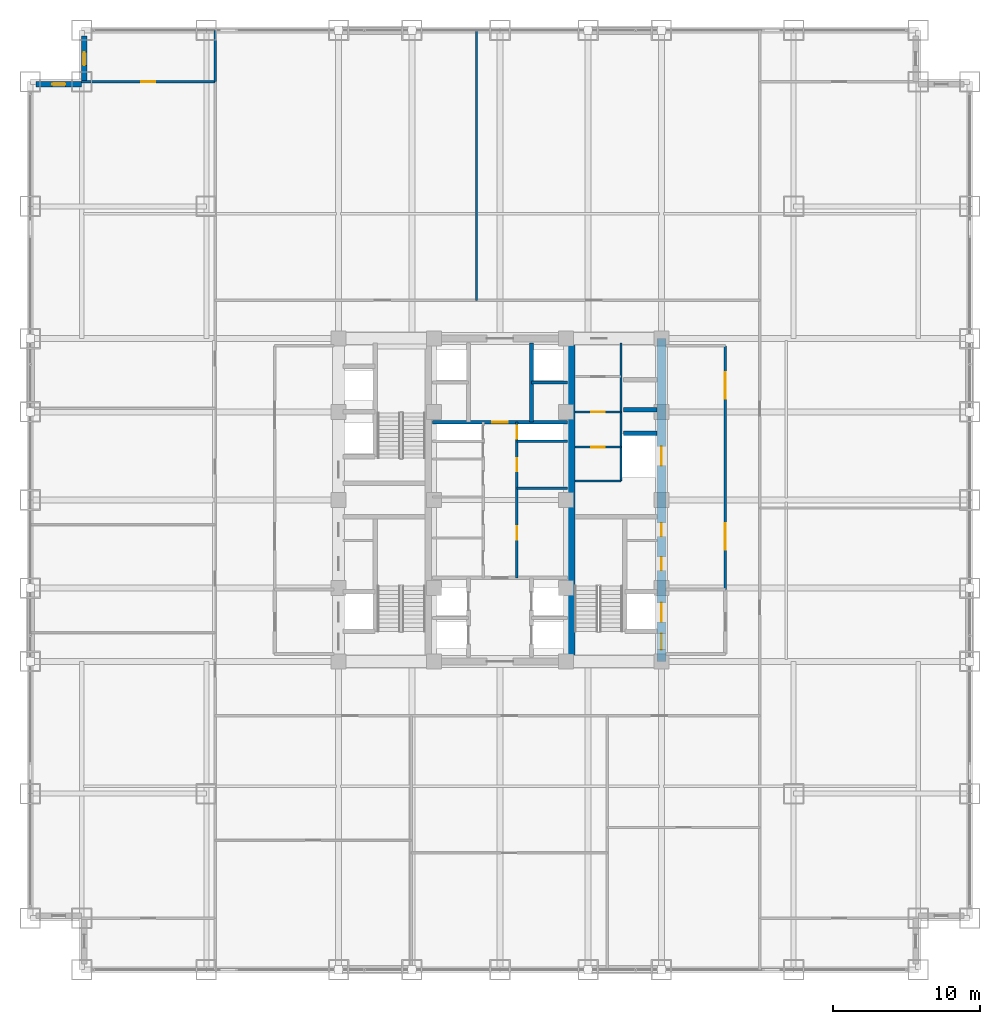
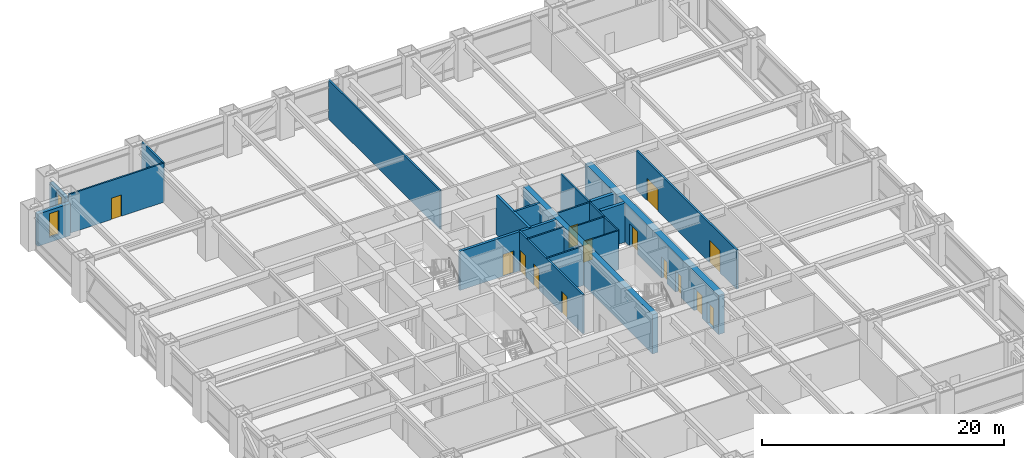
# One storey, part 26 of 28: 20 walls, 14 doors, 2 windows, 16 openings.
"""IFC4 building model written with IfcOpenShell, lengths in metres."""

from ifc_helpers import new_model, si_unit, direction, frame, frame_2d, origin, place, context, subcontext, project, spatial, rectangle, extrude, source, transform, mapped, material, layer, layer_set, type_object, element, fill, save


model = new_model("IFC4")

# Units and contexts
model_context = context("Model", 3, precision=1e-05, world=origin(), true_north=direction((0.0, 1.0)))
body_context = subcontext(model_context, "Body", "Model", "MODEL_VIEW")
ifc_project = project(units=[si_unit("LENGTHUNIT", "METRE"), si_unit("AREAUNIT", "SQUARE_METRE"), si_unit("VOLUMEUNIT", "CUBIC_METRE"), si_unit("PLANEANGLEUNIT", "RADIAN"), si_unit("MASSUNIT", "GRAM", prefix="KILO")], contexts=[model_context])

# Site, building, storey
site_placement = place(None, origin())
site = spatial("IfcSite", under=ifc_project, at=site_placement, CompositionType="ELEMENT")
building_placement = place(site_placement, origin())
building = spatial("IfcBuilding", under=site, at=building_placement, Name="Khorayat Bourse Tower", CompositionType="ELEMENT")
storey_placement = place(building_placement, frame((0.0, 0.0, 66.199951171875)))
storey = spatial("IfcBuildingStorey", under=building, at=storey_placement, Name="L14", CompositionType="ELEMENT", Elevation=66.199951171875)

# Wall, openings, doors
ifc_material_1 = material(Name="Concrete C60/75", Category="concrete")
ifc_layer_1 = layer(ifc_material_1, 0.60009765625)
ifc_layer_set_1 = layer_set([ifc_layer_1], Name="Concrete C60/75")
wall_type_1 = type_object("IfcWallType", Name="WAL-CORE-600", PredefinedType="SHEAR", material=ifc_layer_set_1)
shared_shape_1 = source(origin(), body_context, "Body", "SweptSolid", [
    extrude(rectangle(XDim=22.0, YDim=0.60009765625, at=frame_2d((11.0, 0.0))), origin(), (0.0, 0.0, 1.0), 3.93994140625),
])
wall_1_placement = place(storey_placement, frame((11.0, -11.0, 0.0), z_axis=(0.0, 0.0, 1.0), x_axis=(0.0, 1.0, 0.0)))
wall_1 = element("IfcWall", 1, at=wall_1_placement, inside=storey, type_object=wall_type_1, Name="L14 Core Shear Wall CORE-E", PredefinedType="SHEAR", context=body_context, shape_type="MappedRepresentation", body=[
    mapped(shared_shape_1, transform((0.0, 0.0, 0.0), scale=1.0)),
])
shared_shape_2 = source(origin(), body_context, "Body", "SweptSolid", [
    extrude(rectangle(XDim=1.10009765625, YDim=2.199951171875, at=frame_2d((0.550048828125, 1.10009765625))), frame((0.0, 0.31005859375, 0.0), z_axis=(0.0, -1.0, 0.0), x_axis=(1.0, 0.0, 0.0)), (0.0, 0.0, 1.0), 0.6201171875),
])
opening_1_placement = place(wall_1_placement, frame((0.800048828125, 0.0, 0.0)))
opening_1 = element("IfcOpeningElement", 2, at=opening_1_placement, cuts=wall_1, Name="Opening DI-01", PredefinedType="OPENING", context=body_context, shape_type="MappedRepresentation", body=[
    mapped(shared_shape_2, transform((0.0, 0.0, 0.0), scale=1.0)),
])
shared_shape_3 = source(origin(), body_context, "Body", "SweptSolid", [
    extrude(rectangle(XDim=0.89990234375, YDim=2.14990234375, at=frame_2d((0.449951171875, 1.074951171875))), frame((0.0, 0.31005859375, 0.0), z_axis=(0.0, -1.0, 0.0), x_axis=(1.0, 0.0, 0.0)), (0.0, 0.0, 1.0), 0.6201171875),
])
opening_2_placement = place(wall_1_placement, frame((6.199951171875, 0.0, 0.0)))
opening_2 = element("IfcOpeningElement", 3, at=opening_2_placement, cuts=wall_1, Name="Opening DI-06", PredefinedType="OPENING", context=body_context, shape_type="MappedRepresentation", body=[
    mapped(shared_shape_3, transform((0.0, 0.0, 0.0), scale=1.0)),
])
opening_3_placement = place(wall_1_placement, frame((8.52490234375, 0.0, 0.0)))
opening_3 = element("IfcOpeningElement", 4, at=opening_3_placement, cuts=wall_1, Name="Opening DI-06", PredefinedType="OPENING", context=body_context, shape_type="MappedRepresentation", body=[
    mapped(shared_shape_3, transform((0.0, 0.0, 0.0), scale=1.0)),
])
shared_shape_4 = source(origin(), body_context, "Body", "SweptSolid", [
    extrude(rectangle(XDim=1.300048828125, YDim=2.300048828125, at=frame_2d((0.64990234375, 1.14990234375))), frame((0.0, 0.31005859375, 0.0), z_axis=(0.0, -1.0, 0.0), x_axis=(1.0, 0.0, 0.0)), (0.0, 0.0, 1.0), 0.6201171875),
])
opening_4_placement = place(wall_1_placement, frame((2.699951171875, 0.0, 0.0)))
opening_4 = element("IfcOpeningElement", 5, at=opening_4_placement, cuts=wall_1, Name="Opening LD-02", PredefinedType="OPENING", context=body_context, shape_type="MappedRepresentation", body=[
    mapped(shared_shape_4, transform((0.0, 0.0, 0.0), scale=1.0)),
])
opening_5_placement = place(wall_1_placement, frame((13.35009765625, 0.0, 0.0)))
opening_5 = element("IfcOpeningElement", 6, at=opening_5_placement, cuts=wall_1, Name="Opening LD-02", PredefinedType="OPENING", context=body_context, shape_type="MappedRepresentation", body=[
    mapped(shared_shape_4, transform((0.0, 0.0, 0.0), scale=1.0)),
])
ifc_material_2 = material(Name="Fire-rated steel acoustic leaf", Category="steel")
door_type_1 = type_object("IfcDoorType", Name="DR-INT-STAIR-1100", OperationType="NOTDEFINED", PredefinedType="DOOR", material=ifc_material_2)
shared_shape_5 = source(origin(), body_context, "Body", "SweptSolid", [
    extrude(rectangle(XDim=1.10009765625, YDim=2.199951171875, at=frame_2d((0.550048828125, 1.10009765625))), frame((0.0, 0.02490234375, 0.0), z_axis=(0.0, -1.0, 0.0), x_axis=(1.0, 0.0, 0.0)), (0.0, 0.0, 1.0), 0.050048828125),
])
door_1_placement = place(opening_1_placement, origin())
door_1 = element("IfcDoor", 7, at=door_1_placement, inside=storey, type_object=door_type_1, Name="L14 Exit Stair 3 Door", OperationType="SINGLE_SWING_LEFT", OverallHeight=2.199951171875, OverallWidth=1.10009765625, PredefinedType="DOOR", context=body_context, shape_type="MappedRepresentation", body=[
    mapped(shared_shape_5, transform((0.0, 0.0, 0.0), scale=1.0)),
])
fill(opening_1, door_1)
ifc_material_3 = material(Name="Moisture-resistant laminate washroom door")
door_type_2 = type_object("IfcDoorType", Name="DR-INT-WC-900", OperationType="NOTDEFINED", PredefinedType="DOOR", material=ifc_material_3)
shared_shape_6 = source(origin(), body_context, "Body", "SweptSolid", [
    extrude(rectangle(XDim=0.89990234375, YDim=2.14990234375, at=frame_2d((0.449951171875, 1.074951171875))), frame((0.0, 0.02490234375, 0.0), z_axis=(0.0, -1.0, 0.0), x_axis=(1.0, 0.0, 0.0)), (0.0, 0.0, 1.0), 0.050048828125),
])
door_2_placement = place(opening_2_placement, origin())
door_2 = element("IfcDoor", 8, at=door_2_placement, inside=storey, type_object=door_type_2, Name="L14 Telecom Closet Door", OperationType="SINGLE_SWING_LEFT", OverallHeight=2.14990234375, OverallWidth=0.89990234375, PredefinedType="DOOR", context=body_context, shape_type="MappedRepresentation", body=[
    mapped(shared_shape_6, transform((0.0, 0.0, 0.0), scale=1.0)),
])
fill(opening_2, door_2)
door_3_placement = place(opening_3_placement, origin())
door_3 = element("IfcDoor", 9, at=door_3_placement, inside=storey, type_object=door_type_2, Name="L14 Stationery Store Door", OperationType="SINGLE_SWING_RIGHT", OverallHeight=2.14990234375, OverallWidth=0.89990234375, PredefinedType="DOOR", context=body_context, shape_type="MappedRepresentation", body=[
    mapped(shared_shape_6, transform((0.0, 0.0, 0.0), scale=1.0)),
])
fill(opening_3, door_3)
ifc_material_4 = material(Name="Fire-rated stainless-steel sliding landing door", Category="steel")
door_type_3 = type_object("IfcDoorType", Name="DR-LIFT-FF-1300", OperationType="NOTDEFINED", PredefinedType="DOOR", material=ifc_material_4)
shared_shape_7 = source(origin(), body_context, "Body", "SweptSolid", [
    extrude(rectangle(XDim=1.300048828125, YDim=2.300048828125, at=frame_2d((0.64990234375, 1.14990234375))), frame((0.0, 0.02490234375, 0.0), z_axis=(0.0, -1.0, 0.0), x_axis=(1.0, 0.0, 0.0)), (0.0, 0.0, 1.0), 0.050048828125),
])
door_4_placement = place(opening_4_placement, origin())
door_4 = element("IfcDoor", 10, at=door_4_placement, inside=storey, type_object=door_type_3, Name="L14 Lift FFL-02 Sliding Landing Door", OperationType="SLIDING_TO_LEFT", OverallHeight=2.300048828125, OverallWidth=1.300048828125, PredefinedType="DOOR", context=body_context, shape_type="MappedRepresentation", body=[
    mapped(shared_shape_7, transform((0.0, 0.0, 0.0), scale=1.0)),
])
fill(opening_4, door_4)
door_5_placement = place(opening_5_placement, origin())
door_5 = element("IfcDoor", 11, at=door_5_placement, inside=storey, type_object=door_type_3, Name="L14 Lift SVL-01 Sliding Landing Door", OperationType="SLIDING_TO_LEFT", OverallHeight=2.300048828125, OverallWidth=1.300048828125, PredefinedType="DOOR", context=body_context, shape_type="MappedRepresentation", body=[
    mapped(shared_shape_7, transform((0.0, 0.0, 0.0), scale=1.0)),
])
fill(opening_5, door_5)

# Wall
ifc_material_5 = material(Name="Concrete C52/65", Category="concrete")
ifc_layer_2 = layer(ifc_material_5, 0.5)
ifc_layer_set_2 = layer_set([ifc_layer_2], Name="Concrete C52/65")
wall_type_2 = type_object("IfcWallType", Name="WAL-CORE-500", PredefinedType="SHEAR", material=ifc_layer_set_2)
shared_shape_8 = source(origin(), body_context, "Body", "SweptSolid", [
    extrude(rectangle(XDim=21.39990234375, YDim=0.5, at=frame_2d((10.699951171875, 0.0))), origin(), (0.0, 0.0, 1.0), 3.93994140625),
])
wall_2_placement = place(storey_placement, frame((4.85009765625, -10.699951171875, 0.0), z_axis=(0.0, 0.0, 1.0), x_axis=(0.0, 1.0, 0.0)))
element("IfcWall", 12, at=wall_2_placement, inside=storey, type_object=wall_type_2, Name="L14 Core Shear Wall PIER-E", PredefinedType="SHEAR", context=body_context, shape_type="MappedRepresentation", body=[
    mapped(shared_shape_8, transform((0.0, 0.0, 0.0), scale=1.0)),
])

# Wall, opening, window
ifc_material_6 = material(Name="Precast concrete C45/55", Category="concrete")
ifc_layer_3 = layer(ifc_material_6, 0.3798828125)
ifc_layer_set_3 = layer_set([ifc_layer_3], Name="Precast concrete C45/55")
wall_type_3 = type_object("IfcWallType", Name="WAL-EXT-STONE-380", PredefinedType="STANDARD", material=ifc_layer_set_3)
shared_shape_9 = source(origin(), body_context, "Body", "SweptSolid", [
    extrude(rectangle(XDim=3.1201171875, YDim=0.3798828125, at=frame_2d((1.56005859375, 0.0))), origin(), (0.0, 0.0, 1.0), 3.2451171875),
])
wall_3_placement = place(storey_placement, frame((-28.31005859375, 28.5, 0.0), z_axis=(0.0, 0.0, 1.0), x_axis=(0.0, 1.0, 0.0)))
wall_3 = element("IfcWall", 13, at=wall_3_placement, inside=storey, type_object=wall_type_3, Name="L14 Re-Entrant Notch Limestone Wall NW-V", PredefinedType="STANDARD", context=body_context, shape_type="MappedRepresentation", body=[
    mapped(shared_shape_9, transform((0.0, 0.0, 0.0), scale=1.0)),
])
shared_shape_10 = source(origin(), body_context, "Body", "SweptSolid", [
    extrude(rectangle(XDim=0.89990234375, YDim=2.39990234375, at=frame_2d((0.449951171875, 1.199951171875))), frame((0.0, 0.199951171875, 0.0), z_axis=(0.0, -1.0, 0.0), x_axis=(1.0, 0.0, 0.0)), (0.0, 0.0, 1.0), 0.39990234375),
])
opening_6_placement = place(wall_3_placement, frame((1.110107421875, 0.0, 0.5)))
opening_6 = element("IfcOpeningElement", 14, at=opening_6_placement, cuts=wall_3, Name="Opening WN-03", PredefinedType="OPENING", context=body_context, shape_type="MappedRepresentation", body=[
    mapped(shared_shape_10, transform((0.0, 0.0, 0.0), scale=1.0)),
])
ifc_material_7 = material(Name="Deep-reveal solar-control double glazing", Category="glass")
window_type = type_object("IfcWindowType", Name="WIN-SLOT-900x2400", PartitioningType="SINGLE_PANEL", PredefinedType="WINDOW", material=ifc_material_7)
shared_shape_11 = source(origin(), body_context, "Body", "SweptSolid", [
    extrude(rectangle(XDim=0.89990234375, YDim=2.39990234375, at=frame_2d((0.449951171875, 1.199951171875))), frame((0.0, 0.030029296875, 0.0), z_axis=(0.0, -1.0, 0.0), x_axis=(1.0, 0.0, 0.0)), (0.0, 0.0, 1.0), 0.06005859375),
])
window_1_placement = place(opening_6_placement, origin())
window_1 = element("IfcWindow", 15, at=window_1_placement, inside=storey, type_object=window_type, Name="L14 Facade Window 1", OverallHeight=2.39990234375, OverallWidth=0.89990234375, PartitioningType="SINGLE_PANEL", PredefinedType="WINDOW", context=body_context, shape_type="MappedRepresentation", body=[
    mapped(shared_shape_11, transform((0.0, 0.0, 0.0), scale=1.0)),
])
fill(opening_6, window_1)

wall_4_placement = place(storey_placement, frame((-28.5, 28.31005859375, 0.0), z_axis=(0.0, 0.0, 1.0), x_axis=(-1.0, 0.0, 0.0)))
wall_4 = element("IfcWall", 16, at=wall_4_placement, inside=storey, type_object=wall_type_3, Name="L14 Re-Entrant Notch Limestone Wall NW-H", PredefinedType="STANDARD", context=body_context, shape_type="MappedRepresentation", body=[
    mapped(shared_shape_9, transform((0.0, 0.0, 0.0), scale=1.0)),
])
opening_7_placement = place(wall_4_placement, frame((1.110107421875, 0.0, 0.5)))
opening_7 = element("IfcOpeningElement", 17, at=opening_7_placement, cuts=wall_4, Name="Opening WN-03", PredefinedType="OPENING", context=body_context, shape_type="MappedRepresentation", body=[
    mapped(shared_shape_10, transform((0.0, 0.0, 0.0), scale=1.0)),
])
window_2_placement = place(opening_7_placement, origin())
window_2 = element("IfcWindow", 18, at=window_2_placement, inside=storey, type_object=window_type, Name="L14 Facade Window 1", OverallHeight=2.39990234375, OverallWidth=0.89990234375, PartitioningType="SINGLE_PANEL", PredefinedType="WINDOW", context=body_context, shape_type="MappedRepresentation", body=[
    mapped(shared_shape_11, transform((0.0, 0.0, 0.0), scale=1.0)),
])
fill(opening_7, window_2)

# Walls
ifc_material_8 = material(Name="Concrete C50/60", Category="concrete")
ifc_layer_4 = layer(ifc_material_8, 0.300048828125)
ifc_layer_set_4 = layer_set([ifc_layer_4], Name="Concrete C50/60")
wall_type_4 = type_object("IfcWallType", Name="WAL-SHAFT-300", PredefinedType="SHEAR", material=ifc_layer_set_4)
shared_shape_12 = source(origin(), body_context, "Body", "SweptSolid", [
    extrude(rectangle(XDim=2.300048828125, YDim=0.300048828125, at=frame_2d((1.14990234375, 0.0))), origin(), (0.0, 0.0, 1.0), 3.93994140625),
])
for number, where, z_axis, x_axis, name in (
    (19, (8.39990234375, 4.550048828125, 0.0), (0.0, 0.0, 1.0), (1.0, 0.0, 0.0), "L14 Partition WAL-L14-EPIER-SVLN"),
    (20, (8.39990234375, 6.14990234375, 0.0), (0.0, 0.0, 1.0), (1.0, 0.0, 0.0), "L14 Partition WAL-L14-EPIER-H3S"),
):
    element("IfcWall", number, at=place(storey_placement, frame(where, z_axis=z_axis, x_axis=x_axis)), inside=storey, type_object=wall_type_4, Name=name, PredefinedType="SHEAR", context=body_context, shape_type="MappedRepresentation", body=[
        mapped(shared_shape_12, transform((0.0, 0.0, 0.0), scale=1.0)),
    ])
ifc_material_9 = material(Name="Moisture-resistant masonry partition", Category="masonry")
ifc_layer_5 = layer(ifc_material_9, 0.139892578125)
ifc_layer_set_5 = layer_set([ifc_layer_5], Name="Moisture-resistant masonry partition")
wall_type_5 = type_object("IfcWallType", Name="WAL-PART-WET-140", PredefinedType="PARTITIONING", material=ifc_layer_set_5)
shared_shape_13 = source(origin(), body_context, "Body", "SweptSolid", [
    extrude(rectangle(XDim=9.39990234375, YDim=0.139892578125, at=frame_2d((4.699951171875, 0.0))), origin(), (0.0, 0.0, 1.0), 3.93994140625),
])
wall_5_placement = place(storey_placement, frame((8.25, 1.300048828125, 0.0), z_axis=(0.0, 0.0, 1.0), x_axis=(0.0, 1.0, 0.0)))
element("IfcWall", 21, at=wall_5_placement, inside=storey, type_object=wall_type_5, Name="L14 Partition WAL-L14-ECORE-E", PredefinedType="PARTITIONING", context=body_context, shape_type="MappedRepresentation", body=[
    mapped(shared_shape_13, transform((0.0, 0.0, 0.0), scale=1.0)),
])
shared_shape_14 = source(origin(), body_context, "Body", "SweptSolid", [
    extrude(rectangle(XDim=3.14990234375, YDim=0.139892578125, at=frame_2d((1.574951171875, 0.0))), origin(), (0.0, 0.0, 1.0), 3.93994140625),
])
wall_6_placement = place(storey_placement, frame((5.10009765625, 1.300048828125, 0.0), z_axis=(0.0, 0.0, 1.0), x_axis=(1.0, 0.0, 0.0)))
element("IfcWall", 22, at=wall_6_placement, inside=storey, type_object=wall_type_5, Name="L14 Partition WAL-L14-ECORE-S", PredefinedType="PARTITIONING", context=body_context, shape_type="MappedRepresentation", body=[
    mapped(shared_shape_14, transform((0.0, 0.0, 0.0), scale=1.0)),
])

# Wall, opening, door
wall_7_placement = place(storey_placement, frame((5.10009765625, 6.0, 0.0), z_axis=(0.0, 0.0, 1.0), x_axis=(1.0, 0.0, 0.0)))
wall_7 = element("IfcWall", 23, at=wall_7_placement, inside=storey, type_object=wall_type_5, Name="L14 Partition WAL-L14-ECW-H1", PredefinedType="PARTITIONING", context=body_context, shape_type="MappedRepresentation", body=[
    mapped(shared_shape_14, transform((0.0, 0.0, 0.0), scale=1.0)),
])
shared_shape_15 = source(origin(), body_context, "Body", "SweptSolid", [
    extrude(rectangle(XDim=0.89990234375, YDim=2.14990234375, at=frame_2d((0.449951171875, 1.074951171875))), frame((0.0, 0.079833984375, 0.0), z_axis=(0.0, -1.0, 0.0), x_axis=(1.0, 0.0, 0.0)), (0.0, 0.0, 1.0), 0.159912109375),
])
opening_8_placement = place(wall_7_placement, frame((1.1298828125, 0.0, 0.0)))
opening_8 = element("IfcOpeningElement", 24, at=opening_8_placement, cuts=wall_7, Name="Opening DI-06", PredefinedType="OPENING", context=body_context, shape_type="MappedRepresentation", body=[
    mapped(shared_shape_15, transform((0.0, 0.0, 0.0), scale=1.0)),
])
door_6_placement = place(opening_8_placement, origin())
door_6 = element("IfcDoor", 25, at=door_6_placement, inside=storey, type_object=door_type_2, Name="L14 Shared Washroom Door", OperationType="SINGLE_SWING_RIGHT", OverallHeight=2.14990234375, OverallWidth=0.89990234375, PredefinedType="DOOR", context=body_context, shape_type="MappedRepresentation", body=[
    mapped(shared_shape_6, transform((0.0, 0.0, 0.0), scale=1.0)),
])
fill(opening_8, door_6)

wall_8_placement = place(storey_placement, frame((5.10009765625, 3.60009765625, 0.0), z_axis=(0.0, 0.0, 1.0), x_axis=(1.0, 0.0, 0.0)))
wall_8 = element("IfcWall", 26, at=wall_8_placement, inside=storey, type_object=wall_type_5, Name="L14 Partition WAL-L14-ECW-H2", PredefinedType="PARTITIONING", context=body_context, shape_type="MappedRepresentation", body=[
    mapped(shared_shape_14, transform((0.0, 0.0, 0.0), scale=1.0)),
])
opening_9_placement = place(wall_8_placement, frame((1.1298828125, 0.0, 0.0)))
opening_9 = element("IfcOpeningElement", 27, at=opening_9_placement, cuts=wall_8, Name="Opening DI-06", PredefinedType="OPENING", context=body_context, shape_type="MappedRepresentation", body=[
    mapped(shared_shape_15, transform((0.0, 0.0, 0.0), scale=1.0)),
])
door_7_placement = place(opening_9_placement, origin())
door_7 = element("IfcDoor", 28, at=door_7_placement, inside=storey, type_object=door_type_2, Name="L14 Staff Washroom Door", OperationType="SINGLE_SWING_LEFT", OverallHeight=2.14990234375, OverallWidth=0.89990234375, PredefinedType="DOOR", context=body_context, shape_type="MappedRepresentation", body=[
    mapped(shared_shape_6, transform((0.0, 0.0, 0.0), scale=1.0)),
])
fill(opening_9, door_7)

# Wall, openings, doors
ifc_material_10 = material(Name="Gypsum plasterboard acoustic stud wall")
ifc_layer_6 = layer(ifc_material_10, 0.179931640625)
ifc_layer_set_6 = layer_set([ifc_layer_6], Name="Gypsum plasterboard acoustic stud wall")
wall_type_6 = type_object("IfcWallType", Name="WAL-PART-CORR-180", PredefinedType="PARTITIONING", material=ifc_layer_set_6)
shared_shape_16 = source(origin(), body_context, "Body", "SweptSolid", [
    extrude(rectangle(XDim=16.60009765625, YDim=0.179931640625, at=frame_2d((8.300048828125, 0.0))), origin(), (0.0, 0.0, 1.0), 3.93994140625),
])
wall_9_placement = place(storey_placement, frame((15.35009765625, -6.10009765625, 0.0), z_axis=(0.0, 0.0, 1.0), x_axis=(0.0, 1.0, 0.0)))
wall_9 = element("IfcWall", 29, at=wall_9_placement, inside=storey, type_object=wall_type_6, Name="L14 Partition WAL-L14-ELOB-E", PredefinedType="PARTITIONING", context=body_context, shape_type="MappedRepresentation", body=[
    mapped(shared_shape_16, transform((0.0, 0.0, 0.0), scale=1.0)),
])
shared_shape_17 = source(origin(), body_context, "Body", "SweptSolid", [
    extrude(rectangle(XDim=1.800048828125, YDim=2.25, at=frame_2d((0.89990234375, 1.125))), frame((0.0, 0.099853515625, 0.0), z_axis=(0.0, -1.0, 0.0), x_axis=(1.0, 0.0, 0.0)), (0.0, 0.0, 1.0), 0.199951171875),
])
opening_10_placement = place(wall_9_placement, frame((2.699951171875, 0.0, 0.0)))
opening_10 = element("IfcOpeningElement", 30, at=opening_10_placement, cuts=wall_9, Name="Opening DI-03", PredefinedType="OPENING", context=body_context, shape_type="MappedRepresentation", body=[
    mapped(shared_shape_17, transform((0.0, 0.0, 0.0), scale=1.0)),
])
opening_11_placement = place(wall_9_placement, frame((13.0, 0.0, 0.0)))
opening_11 = element("IfcOpeningElement", 31, at=opening_11_placement, cuts=wall_9, Name="Opening DI-03", PredefinedType="OPENING", context=body_context, shape_type="MappedRepresentation", body=[
    mapped(shared_shape_17, transform((0.0, 0.0, 0.0), scale=1.0)),
])
ifc_material_11 = material(Name="Fire-rated hardwood vision-panel double leaf", Category="wood")
door_type_4 = type_object("IfcDoorType", Name="DR-INT-CORR-1800", OperationType="NOTDEFINED", PredefinedType="DOOR", material=ifc_material_11)
shared_shape_18 = source(origin(), body_context, "Body", "SweptSolid", [
    extrude(rectangle(XDim=1.800048828125, YDim=2.25, at=frame_2d((0.89990234375, 1.125))), frame((0.0, 0.02490234375, 0.0), z_axis=(0.0, -1.0, 0.0), x_axis=(1.0, 0.0, 0.0)), (0.0, 0.0, 1.0), 0.050048828125),
])
door_8_placement = place(opening_10_placement, origin())
door_8 = element("IfcDoor", 32, at=door_8_placement, inside=storey, type_object=door_type_4, Name="L14 East Core Lobby South Door", OperationType="SINGLE_SWING_RIGHT", OverallHeight=2.25, OverallWidth=1.800048828125, PredefinedType="DOOR", context=body_context, shape_type="MappedRepresentation", body=[
    mapped(shared_shape_18, transform((0.0, 0.0, 0.0), scale=1.0)),
])
fill(opening_10, door_8)
door_9_placement = place(opening_11_placement, origin())
door_9 = element("IfcDoor", 33, at=door_9_placement, inside=storey, type_object=door_type_4, Name="L14 East Core Lobby North Door", OperationType="SINGLE_SWING_LEFT", OverallHeight=2.25, OverallWidth=1.800048828125, PredefinedType="DOOR", context=body_context, shape_type="MappedRepresentation", body=[
    mapped(shared_shape_18, transform((0.0, 0.0, 0.0), scale=1.0)),
])
fill(opening_11, door_9)

# Walls
ifc_material_12 = material(Name="Gypsum plasterboard twin-frame partition")
ifc_layer_7 = layer(ifc_material_12, 0.14990234375)
ifc_layer_set_7 = layer_set([ifc_layer_7], Name="Gypsum plasterboard twin-frame partition")
wall_type_7 = type_object("IfcWallType", Name="WAL-PART-SUITE-150", PredefinedType="PARTITIONING", material=ifc_layer_set_7)
shared_shape_19 = source(origin(), body_context, "Body", "SweptSolid", [
    extrude(rectangle(XDim=3.4501953125, YDim=0.14990234375, at=frame_2d((1.72509765625, 0.0))), origin(), (0.0, 0.0, 1.0), 3.93994140625),
])
wall_10_placement = place(storey_placement, frame((1.14990234375, 4.0, 0.0), z_axis=(0.0, 0.0, 1.0), x_axis=(1.0, 0.0, 0.0)))
element("IfcWall", 34, at=wall_10_placement, inside=storey, type_object=wall_type_7, Name="L14 Partition WAL-L14-CRSE-S", PredefinedType="PARTITIONING", context=body_context, shape_type="MappedRepresentation", body=[
    mapped(shared_shape_19, transform((0.0, 0.0, 0.0), scale=1.0)),
])
shared_shape_20 = source(origin(), body_context, "Body", "SweptSolid", [
    extrude(rectangle(XDim=5.39990234375, YDim=0.25, at=frame_2d((2.699951171875, 0.0))), origin(), (0.0, 0.0, 1.0), 3.93994140625),
])
wall_11_placement = place(storey_placement, frame((2.14990234375, 5.300048828125, 0.0), z_axis=(0.0, 0.0, 1.0), x_axis=(0.0, 1.0, 0.0)))
element("IfcWall", 35, at=wall_11_placement, inside=storey, type_object=wall_type_4, Name="L14 Partition WAL-L14-B2-E", PredefinedType="SHEAR", context=body_context, shape_type="MappedRepresentation", body=[
    mapped(shared_shape_20, transform((0.0, 0.0, 0.0), scale=1.0)),
])
shared_shape_21 = source(origin(), body_context, "Body", "SweptSolid", [
    extrude(rectangle(XDim=2.4501953125, YDim=0.199951171875, at=frame_2d((1.22509765625, 0.0))), origin(), (0.0, 0.0, 1.0), 3.93994140625),
])
wall_12_placement = place(storey_placement, frame((2.14990234375, 8.0, 0.0), z_axis=(0.0, 0.0, 1.0), x_axis=(1.0, 0.0, 0.0)))
element("IfcWall", 36, at=wall_12_placement, inside=storey, type_object=wall_type_4, Name="L14 Partition WAL-L14-B2-ME", PredefinedType="SHEAR", context=body_context, shape_type="MappedRepresentation", body=[
    mapped(shared_shape_21, transform((0.0, 0.0, 0.0), scale=1.0)),
])

# Wall, opening, door
shared_shape_22 = source(origin(), body_context, "Body", "SweptSolid", [
    extrude(rectangle(XDim=9.2001953125, YDim=0.25, at=frame_2d((4.60009765625, 0.0))), origin(), (0.0, 0.0, 1.0), 3.93994140625),
])
wall_13_placement = place(storey_placement, frame((-4.60009765625, 5.300048828125, 0.0), z_axis=(0.0, 0.0, 1.0), x_axis=(1.0, 0.0, 0.0)))
wall_13 = element("IfcWall", 37, at=wall_13_placement, inside=storey, type_object=wall_type_4, Name="L14 Partition WAL-L14-B2-S", PredefinedType="SHEAR", context=body_context, shape_type="MappedRepresentation", body=[
    mapped(shared_shape_22, transform((0.0, 0.0, 0.0), scale=1.0)),
])
shared_shape_23 = source(origin(), body_context, "Body", "SweptSolid", [
    extrude(rectangle(XDim=1.050048828125, YDim=2.199951171875, at=frame_2d((0.52490234375, 1.10009765625))), frame((0.0, 0.135009765625, 0.0), z_axis=(0.0, -1.0, 0.0), x_axis=(1.0, 0.0, 0.0)), (0.0, 0.0, 1.0), 0.27001953125),
])
opening_12_placement = place(wall_13_placement, frame((4.074951171875, 0.0, 0.0)))
opening_12 = element("IfcOpeningElement", 38, at=opening_12_placement, cuts=wall_13, Name="Opening DI-04", PredefinedType="OPENING", context=body_context, shape_type="MappedRepresentation", body=[
    mapped(shared_shape_23, transform((0.0, 0.0, 0.0), scale=1.0)),
])
ifc_material_13 = material(Name="Fire-rated oak veneer suite entrance door")
door_type_5 = type_object("IfcDoorType", Name="DR-INT-SUITE-1050", OperationType="NOTDEFINED", PredefinedType="DOOR", material=ifc_material_13)
shared_shape_24 = source(origin(), body_context, "Body", "SweptSolid", [
    extrude(rectangle(XDim=1.050048828125, YDim=2.199951171875, at=frame_2d((0.52490234375, 1.10009765625))), frame((0.0, 0.02490234375, 0.0), z_axis=(0.0, -1.0, 0.0), x_axis=(1.0, 0.0, 0.0)), (0.0, 0.0, 1.0), 0.050048828125),
])
door_10_placement = place(opening_12_placement, origin())
door_10 = element("IfcDoor", 39, at=door_10_placement, inside=storey, type_object=door_type_5, Name="L14 Core Spine North Door", OperationType="SINGLE_SWING_RIGHT", OverallHeight=2.199951171875, OverallWidth=1.050048828125, PredefinedType="DOOR", context=body_context, shape_type="MappedRepresentation", body=[
    mapped(shared_shape_24, transform((0.0, 0.0, 0.0), scale=1.0)),
])
fill(opening_12, door_10)

# Wall
shared_shape_25 = source(origin(), body_context, "Body", "SweptSolid", [
    extrude(rectangle(XDim=3.4501953125, YDim=0.139892578125, at=frame_2d((1.72509765625, 0.0))), origin(), (0.0, 0.0, 1.0), 3.93994140625),
])
wall_14_placement = place(storey_placement, frame((1.14990234375, 0.800048828125, 0.0), z_axis=(0.0, 0.0, 1.0), x_axis=(1.0, 0.0, 0.0)))
element("IfcWall", 40, at=wall_14_placement, inside=storey, type_object=wall_type_5, Name="L14 Partition WAL-L14-CME-D1", PredefinedType="PARTITIONING", context=body_context, shape_type="MappedRepresentation", body=[
    mapped(shared_shape_25, transform((0.0, 0.0, 0.0), scale=1.0)),
])

# Wall, openings, doors
shared_shape_26 = source(origin(), body_context, "Body", "SweptSolid", [
    extrude(rectangle(XDim=10.60009765625, YDim=0.179931640625, at=frame_2d((5.300048828125, 0.0))), origin(), (0.0, 0.0, 1.0), 3.93994140625),
])
wall_15_placement = place(storey_placement, frame((1.14990234375, -5.300048828125, 0.0), z_axis=(0.0, 0.0, 1.0), x_axis=(0.0, 1.0, 0.0)))
wall_15 = element("IfcWall", 41, at=wall_15_placement, inside=storey, type_object=wall_type_6, Name="L14 Partition WAL-L14-CME-L", PredefinedType="PARTITIONING", context=body_context, shape_type="MappedRepresentation", body=[
    mapped(shared_shape_26, transform((0.0, 0.0, 0.0), scale=1.0)),
])
shared_shape_27 = source(origin(), body_context, "Body", "SweptSolid", [
    extrude(rectangle(XDim=0.89990234375, YDim=2.14990234375, at=frame_2d((0.449951171875, 1.074951171875))), frame((0.0, 0.099853515625, 0.0), z_axis=(0.0, -1.0, 0.0), x_axis=(1.0, 0.0, 0.0)), (0.0, 0.0, 1.0), 0.199951171875),
])
opening_13_placement = place(wall_15_placement, frame((2.60009765625, 0.0, 0.0)))
opening_13 = element("IfcOpeningElement", 42, at=opening_13_placement, cuts=wall_15, Name="Opening DI-06", PredefinedType="OPENING", context=body_context, shape_type="MappedRepresentation", body=[
    mapped(shared_shape_27, transform((0.0, 0.0, 0.0), scale=1.0)),
])
opening_14_placement = place(wall_15_placement, frame((7.25, 0.0, 0.0)))
opening_14 = element("IfcOpeningElement", 43, at=opening_14_placement, cuts=wall_15, Name="Opening DI-06", PredefinedType="OPENING", context=body_context, shape_type="MappedRepresentation", body=[
    mapped(shared_shape_27, transform((0.0, 0.0, 0.0), scale=1.0)),
])
opening_15_placement = place(wall_15_placement, frame((9.47509765625, 0.0, 0.0)))
opening_15 = element("IfcOpeningElement", 44, at=opening_15_placement, cuts=wall_15, Name="Opening DI-06", PredefinedType="OPENING", context=body_context, shape_type="MappedRepresentation", body=[
    mapped(shared_shape_27, transform((0.0, 0.0, 0.0), scale=1.0)),
])
door_11_placement = place(opening_13_placement, origin())
door_11 = element("IfcDoor", 45, at=door_11_placement, inside=storey, type_object=door_type_2, Name="L14 Female Core Washroom Door", OperationType="SINGLE_SWING_RIGHT", OverallHeight=2.14990234375, OverallWidth=0.89990234375, PredefinedType="DOOR", context=body_context, shape_type="MappedRepresentation", body=[
    mapped(shared_shape_6, transform((0.0, 0.0, 0.0), scale=1.0)),
])
fill(opening_13, door_11)
door_12_placement = place(opening_14_placement, origin())
door_12 = element("IfcDoor", 46, at=door_12_placement, inside=storey, type_object=door_type_2, Name="L14 Smoke Extract Fan Plant Room Door", OperationType="SINGLE_SWING_LEFT", OverallHeight=2.14990234375, OverallWidth=0.89990234375, PredefinedType="DOOR", context=body_context, shape_type="MappedRepresentation", body=[
    mapped(shared_shape_6, transform((0.0, 0.0, 0.0), scale=1.0)),
])
fill(opening_14, door_12)
door_13_placement = place(opening_15_placement, origin())
door_13 = element("IfcDoor", 47, at=door_13_placement, inside=storey, type_object=door_type_2, Name="L14 East Core Riser Door", OperationType="SINGLE_SWING_RIGHT", OverallHeight=2.14990234375, OverallWidth=0.89990234375, PredefinedType="DOOR", context=body_context, shape_type="MappedRepresentation", body=[
    mapped(shared_shape_6, transform((0.0, 0.0, 0.0), scale=1.0)),
])
fill(opening_15, door_13)

# Walls
shared_shape_28 = source(origin(), body_context, "Body", "SweptSolid", [
    extrude(rectangle(XDim=18.39990234375, YDim=0.14990234375, at=frame_2d((9.199951171875, 0.0))), origin(), (0.0, 0.0, 1.0), 3.93994140625),
])
wall_16_placement = place(storey_placement, frame((-1.592041015625, 13.60009765625, 0.0), z_axis=(0.0, 0.0, 1.0), x_axis=(0.0, 1.0, 0.0)))
element("IfcWall", 48, at=wall_16_placement, inside=storey, type_object=wall_type_7, Name="L14 Partition WAL-L14-NDV-1", PredefinedType="PARTITIONING", context=body_context, shape_type="MappedRepresentation", body=[
    mapped(shared_shape_28, transform((0.0, 0.0, 0.0), scale=1.0)),
])
shared_shape_29 = source(origin(), body_context, "Body", "SweptSolid", [
    extrude(rectangle(XDim=3.5, YDim=0.14990234375, at=frame_2d((1.75, 0.0))), origin(), (0.0, 0.0, 1.0), 3.93994140625),
])
wall_17_placement = place(storey_placement, frame((-19.39990234375, 28.5, 0.0), z_axis=(0.0, 0.0, 1.0), x_axis=(0.0, 1.0, 0.0)))
element("IfcWall", 49, at=wall_17_placement, inside=storey, type_object=wall_type_7, Name="L14 Partition WAL-L14-NCW-END", PredefinedType="PARTITIONING", context=body_context, shape_type="MappedRepresentation", body=[
    mapped(shared_shape_29, transform((0.0, 0.0, 0.0), scale=1.0)),
])

# Wall, opening, door
shared_shape_30 = source(origin(), body_context, "Body", "SweptSolid", [
    extrude(rectangle(XDim=9.10009765625, YDim=0.14990234375, at=frame_2d((4.550048828125, 0.0))), origin(), (0.0, 0.0, 1.0), 3.93994140625),
])
wall_18_placement = place(storey_placement, frame((-28.5, 28.5, 0.0), z_axis=(0.0, 0.0, 1.0), x_axis=(1.0, 0.0, 0.0)))
wall_18 = element("IfcWall", 50, at=wall_18_placement, inside=storey, type_object=wall_type_7, Name="L14 Partition WAL-L14-CNW", PredefinedType="PARTITIONING", context=body_context, shape_type="MappedRepresentation", body=[
    mapped(shared_shape_30, transform((0.0, 0.0, 0.0), scale=1.0)),
])
shared_shape_31 = source(origin(), body_context, "Body", "SweptSolid", [
    extrude(rectangle(XDim=0.949951171875, YDim=2.14990234375, at=frame_2d((0.47509765625, 1.074951171875))), frame((0.0, 0.0849609375, 0.0), z_axis=(0.0, -1.0, 0.0), x_axis=(1.0, 0.0, 0.0)), (0.0, 0.0, 1.0), 0.169921875),
])
opening_16_placement = place(wall_18_placement, frame((4.074951171875, 0.0, 0.0)))
opening_16 = element("IfcOpeningElement", 51, at=opening_16_placement, cuts=wall_18, Name="Opening DI-05", PredefinedType="OPENING", context=body_context, shape_type="MappedRepresentation", body=[
    mapped(shared_shape_31, transform((0.0, 0.0, 0.0), scale=1.0)),
])
ifc_material_14 = material(Name="Acoustic oak veneer office door")
door_type_6 = type_object("IfcDoorType", Name="DR-INT-OFFICE-950", OperationType="NOTDEFINED", PredefinedType="DOOR", material=ifc_material_14)
shared_shape_32 = source(origin(), body_context, "Body", "SweptSolid", [
    extrude(rectangle(XDim=0.949951171875, YDim=2.14990234375, at=frame_2d((0.47509765625, 1.074951171875))), frame((0.0, 0.02490234375, 0.0), z_axis=(0.0, -1.0, 0.0), x_axis=(1.0, 0.0, 0.0)), (0.0, 0.0, 1.0), 0.050048828125),
])
door_14_placement = place(opening_16_placement, origin())
door_14 = element("IfcDoor", 52, at=door_14_placement, inside=storey, type_object=door_type_6, Name="L14 North-West Corner Meeting Room Door", OperationType="SINGLE_SWING_LEFT", OverallHeight=2.14990234375, OverallWidth=0.949951171875, PredefinedType="DOOR", context=body_context, shape_type="MappedRepresentation", body=[
    mapped(shared_shape_32, transform((0.0, 0.0, 0.0), scale=1.0)),
])
fill(opening_16, door_14)

save(model, "model.ifc")
